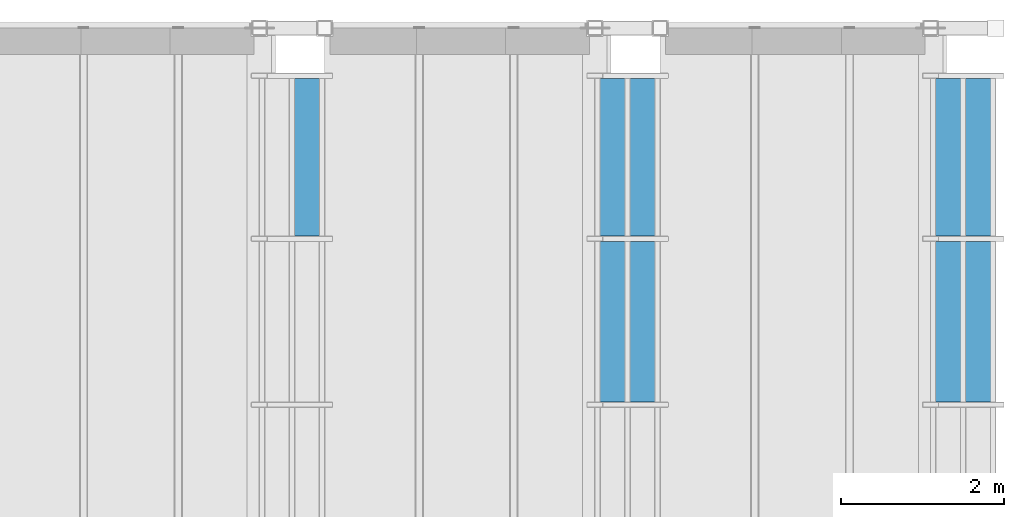
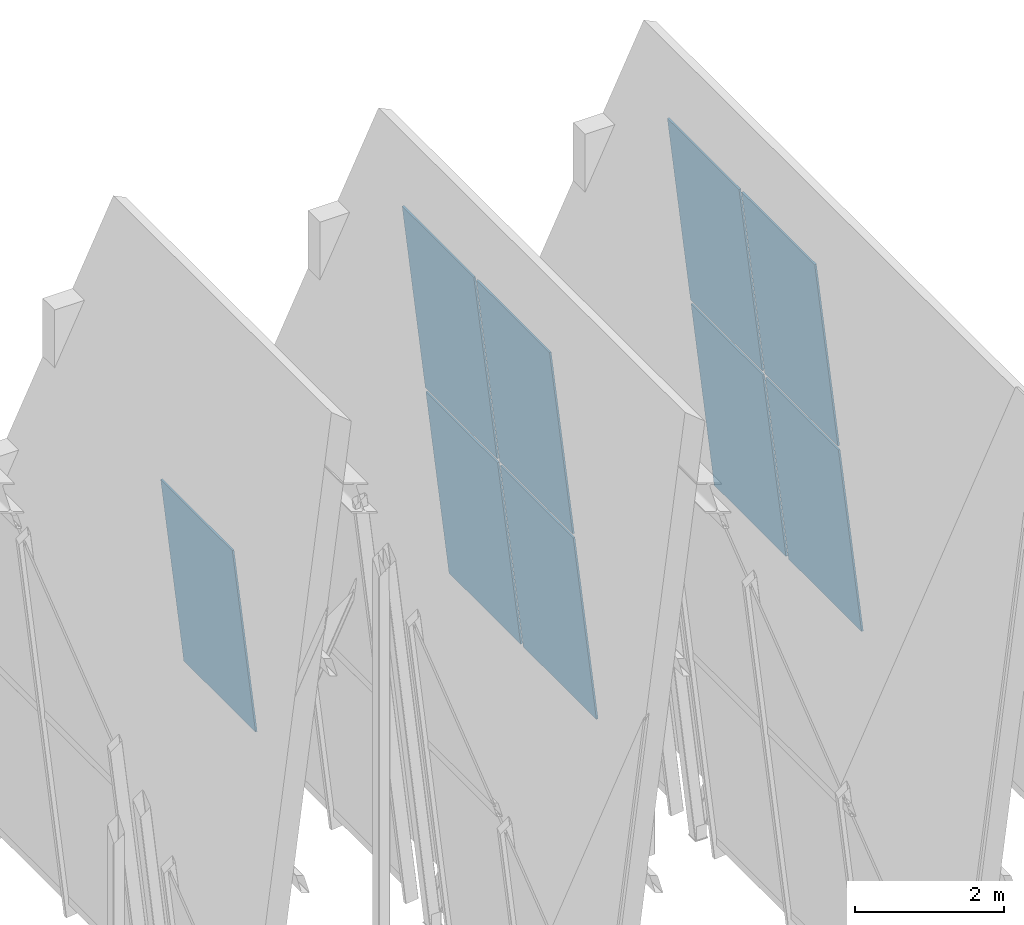
# One storey, part 17 of 28: 9 plates, 3 elements without a shape of their own.
"""IFC4 building model written with IfcOpenShell, lengths in metres."""

from ifc_helpers import new_model, si_unit, direction, frame, origin, place, context, subcontext, project, spatial, polyline, outline, extrude, material, layer, layer_set, type_object, element, aggregate, save


model = new_model("IFC4")

# Units and contexts
model_context = context("Model", 3, precision=1e-05, world=origin(), true_north=direction((0.0, 1.0)))
body_context = subcontext(model_context, "Body", "Model", "MODEL_VIEW")
ifc_project = project(units=[si_unit("LENGTHUNIT", "METRE"), si_unit("AREAUNIT", "SQUARE_METRE"), si_unit("VOLUMEUNIT", "CUBIC_METRE"), si_unit("PLANEANGLEUNIT", "RADIAN"), si_unit("MASSUNIT", "GRAM", prefix="KILO")], contexts=[model_context])

# Site, building, storey
site_placement = place(None, origin())
site = spatial("IfcSite", under=ifc_project, at=site_placement, CompositionType="ELEMENT")
building_placement = place(site_placement, origin())
building = spatial("IfcBuilding", under=site, at=building_placement, Name="Bramveld Media Centre", CompositionType="ELEMENT")
storey_placement = place(building_placement, frame((0.0, 0.0, 33.89990234375)))
storey = spatial("IfcBuildingStorey", under=building, at=storey_placement, Name="ROOF", CompositionType="ELEMENT", Elevation=33.89990234375)

# Curtain wall, plate
ifc_material_1 = material(Name="Thermally broken anodized bronze aluminium unitized curtain wall with solar-control triple glazing", Category="aluminium")
curtain_wall_type = type_object("IfcCurtainWallType", Name="CW-CRN-6100x6941", PredefinedType="NOTDEFINED", material=ifc_material_1)
curtain_wall_1_placement = place(storey_placement, origin())
curtain_wall_1 = element("IfcCurtainWall", 1, at=curtain_wall_1_placement, inside=storey, type_object=curtain_wall_type, Name="V7 crown clerestory B5-S4", PredefinedType="NOTDEFINED")
ifc_material_2 = material(Name="Solar-control triple insulating safety glass unit", Category="glass")
ifc_layer = layer(ifc_material_2, 0.028076171875)
ifc_layer_set = layer_set([ifc_layer], Name="Solar-control triple insulating safety glass unit")
plate_type = type_object("IfcPlateType", Name="CW-PAN-SLP", PredefinedType="CURTAIN_PANEL", material=ifc_layer_set)
plate_1_placement = place(storey_placement, frame((151.7353515625, 109.45166015625, 0.290771484375), z_axis=(0.993337177532, 0.0, 0.115244313237), x_axis=(0.0, 1.0, 0.0)))
plate_1 = element("IfcPlate", 2, at=plate_1_placement, type_object=plate_type, Name="CW-CR-6169 glass panel 3.1", PredefinedType="CURTAIN_PANEL", context=body_context, shape_type="SweptSolid", body=[
    extrude(outline(polyline([(0.0, 0.0), (1.92822265625, 0.0), (1.92822265625, 3.122612050354217), (0.0, 3.122612050354217), (0.0, 0.0)])), origin(), (0.0, 0.0, -1.0), 0.028076171875),
])
aggregate(curtain_wall_1, [plate_1])

# Curtain wall, plates
curtain_wall_2_placement = place(storey_placement, origin())
curtain_wall_2 = element("IfcCurtainWall", 3, at=curtain_wall_2_placement, inside=storey, type_object=curtain_wall_type, Name="V7 crown clerestory B6-S4", PredefinedType="NOTDEFINED")
plate_2_placement = place(storey_placement, frame((155.849609375, 107.418212890625, 0.290771484375), z_axis=(0.993337177532, 0.0, 0.115244313237), x_axis=(0.0, 1.0, 0.0)))
plate_2 = element("IfcPlate", 4, at=plate_2_placement, type_object=plate_type, Name="CW-CR-6169 glass panel 2.1", PredefinedType="CURTAIN_PANEL", context=body_context, shape_type="SweptSolid", body=[
    extrude(outline(polyline([(0.0, 0.0), (1.96337890625, 0.0), (1.96337890625, 3.122612050354217), (0.0, 3.122612050354217), (0.0, 0.0)])), origin(), (0.0, 0.0, -1.0), 0.028076171875),
])
plate_3_placement = place(storey_placement, frame((155.481689453125, 107.418212890625, 3.462158203125), z_axis=(0.993329263955, 0.0, 0.115312503096), x_axis=(0.0, 1.0, 0.0)))
plate_3 = element("IfcPlate", 5, at=plate_3_placement, type_object=plate_type, Name="CW-CR-6169 glass panel 2.2", PredefinedType="CURTAIN_PANEL", context=body_context, shape_type="SweptSolid", body=[
    extrude(outline(polyline([(0.0, 0.0), (1.96337890625, 0.0), (1.96337890625, 3.1228827074904997), (0.0, 3.1228827074904997), (0.0, 0.0)])), origin(), (0.0, 0.0, -1.0), 0.028076171875),
])
plate_4_placement = place(storey_placement, frame((155.849609375, 109.45166015625, 0.290771484375), z_axis=(0.993337177532, 0.0, 0.115244313237), x_axis=(0.0, 1.0, 0.0)))
plate_4 = element("IfcPlate", 6, at=plate_4_placement, type_object=plate_type, Name="CW-CR-6169 glass panel 3.1", PredefinedType="CURTAIN_PANEL", context=body_context, shape_type="SweptSolid", body=[
    extrude(outline(polyline([(0.0, 0.0), (1.92822265625, 0.0), (1.92822265625, 3.122612050354217), (0.0, 3.122612050354217), (0.0, 0.0)])), origin(), (0.0, 0.0, -1.0), 0.028076171875),
])
plate_5_placement = place(storey_placement, frame((155.481689453125, 109.45166015625, 3.462158203125), z_axis=(0.993329263955, 0.0, 0.115312503096), x_axis=(0.0, 1.0, 0.0)))
plate_5 = element("IfcPlate", 7, at=plate_5_placement, type_object=plate_type, Name="CW-CR-6169 glass panel 3.2", PredefinedType="CURTAIN_PANEL", context=body_context, shape_type="SweptSolid", body=[
    extrude(outline(polyline([(0.0, 0.0), (1.92822265625, 0.0), (1.92822265625, 3.1228827074904997), (0.0, 3.1228827074904997), (0.0, 0.0)])), origin(), (0.0, 0.0, -1.0), 0.028076171875),
])
aggregate(curtain_wall_2, [plate_2, plate_3, plate_4, plate_5])

curtain_wall_3_placement = place(storey_placement, origin())
curtain_wall_3 = element("IfcCurtainWall", 8, at=curtain_wall_3_placement, inside=storey, type_object=curtain_wall_type, Name="V7 crown clerestory B7-S4", PredefinedType="NOTDEFINED")
plate_6_placement = place(storey_placement, frame((159.964111328125, 107.418212890625, 0.290771484375), z_axis=(0.993328224304, 0.0, 0.115321458548), x_axis=(0.0, 1.0, 0.0)))
plate_6 = element("IfcPlate", 9, at=plate_6_placement, type_object=plate_type, Name="CW-CR-6169 glass panel 2.1", PredefinedType="CURTAIN_PANEL", context=body_context, shape_type="SweptSolid", body=[
    extrude(outline(polyline([(0.0, 0.0), (1.96337890625, 0.0), (1.96337890625, 3.122640195590072), (0.0, 3.122640195590072), (0.0, 0.0)])), origin(), (0.0, 0.0, -1.0), 0.028076171875),
])
plate_7_placement = place(storey_placement, frame((159.595947265625, 107.418212890625, 3.462158203125), z_axis=(0.993338215802, 0.0, 0.115235363615), x_axis=(0.0, 1.0, 0.0)))
plate_7 = element("IfcPlate", 10, at=plate_7_placement, type_object=plate_type, Name="CW-CR-6169 glass panel 2.2", PredefinedType="CURTAIN_PANEL", context=body_context, shape_type="SweptSolid", body=[
    extrude(outline(polyline([(0.0, 0.0), (1.96337890625, 0.0), (1.96337890625, 3.122854564440322), (0.0, 3.122854564440322), (0.0, 0.0)])), origin(), (0.0, 0.0, -1.0), 0.028076171875),
])
plate_8_placement = place(storey_placement, frame((159.964111328125, 109.45166015625, 0.290771484375), z_axis=(0.993328224304, 0.0, 0.115321458548), x_axis=(0.0, 1.0, 0.0)))
plate_8 = element("IfcPlate", 11, at=plate_8_placement, type_object=plate_type, Name="CW-CR-6169 glass panel 3.1", PredefinedType="CURTAIN_PANEL", context=body_context, shape_type="SweptSolid", body=[
    extrude(outline(polyline([(0.0, 0.0), (1.92822265625, 0.0), (1.92822265625, 3.1226401955900727), (0.0, 3.1226401955900727), (0.0, 0.0)])), origin(), (0.0, 0.0, -1.0), 0.028076171875),
])
plate_9_placement = place(storey_placement, frame((159.595947265625, 109.45166015625, 3.462158203125), z_axis=(0.993338215802, 0.0, 0.115235363615), x_axis=(0.0, 1.0, 0.0)))
plate_9 = element("IfcPlate", 12, at=plate_9_placement, type_object=plate_type, Name="CW-CR-6169 glass panel 3.2", PredefinedType="CURTAIN_PANEL", context=body_context, shape_type="SweptSolid", body=[
    extrude(outline(polyline([(0.0, 0.0), (1.92822265625, 0.0), (1.92822265625, 3.1228545644403223), (0.0, 3.1228545644403223), (0.0, 0.0)])), origin(), (0.0, 0.0, -1.0), 0.028076171875),
])
aggregate(curtain_wall_3, [plate_6, plate_7, plate_8, plate_9])

save(model, "model.ifc")
